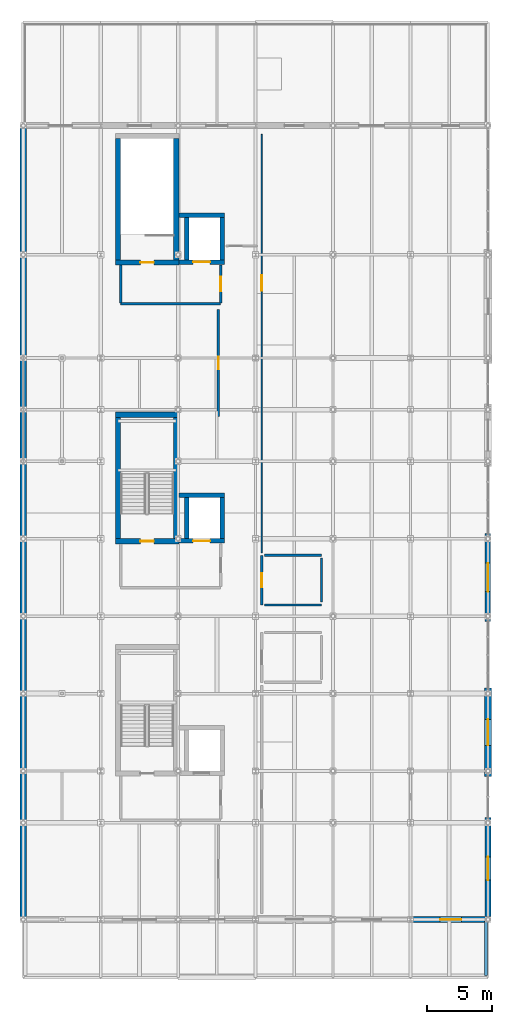
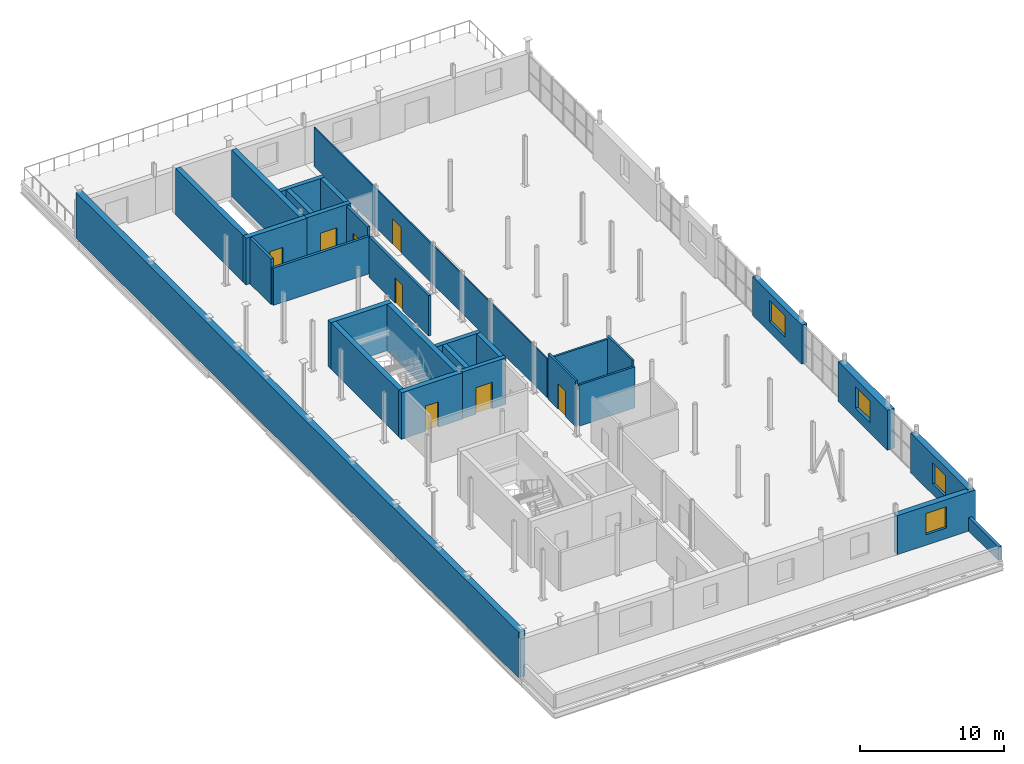
# One storey, part 27 of 30: 30 walls, 8 doors, 4 windows, 12 openings.
"""IFC4 building model written with IfcOpenShell, lengths in metres."""

from ifc_helpers import new_model, si_unit, direction, frame, frame_2d, origin, place, context, subcontext, project, spatial, rectangle, extrude, material, layer, layer_set, type_object, element, fill, save


model = new_model("IFC4")

# Units and contexts
model_context = context("Model", 3, precision=1e-05, world=origin(), true_north=direction((0.0, 1.0)))
body_context = subcontext(model_context, "Body", "Model", "MODEL_VIEW")
ifc_project = project(units=[si_unit("LENGTHUNIT", "METRE"), si_unit("AREAUNIT", "SQUARE_METRE"), si_unit("VOLUMEUNIT", "CUBIC_METRE"), si_unit("PLANEANGLEUNIT", "RADIAN"), si_unit("MASSUNIT", "GRAM", prefix="KILO")], contexts=[model_context])

# Site, building, storey
site_placement = place(None, origin())
site = spatial("IfcSite", under=ifc_project, at=site_placement, CompositionType="ELEMENT")
building_placement = place(site_placement, origin())
building = spatial("IfcBuilding", under=site, at=building_placement, Name="Verrall Gate Interchange", CompositionType="ELEMENT")
storey_placement = place(building_placement, frame((0.0, 0.0, 19.39990234375)))
storey = spatial("IfcBuildingStorey", under=building, at=storey_placement, Name="L05", CompositionType="ELEMENT", Elevation=19.39990234375)

# Wall, opening, window
ifc_material_1 = material(Name="Tyndall Dolomitic Limestone Ashlar Cavity Assembly (U=0.18)", Category="masonry")
ifc_layer_1 = layer(ifc_material_1, 0.419921875)
ifc_layer_set_1 = layer_set([ifc_layer_1], Name="Tyndall Dolomitic Limestone Ashlar Cavity Assembly (U=0.18)")
wall_type_1 = type_object("IfcWallType", Name="EW-01 Exterior Solid Wall 420", PredefinedType="SOLIDWALL", material=ifc_layer_set_1)
wall_1_placement = place(storey_placement, frame((36.0, 27.580078125, 0.0), z_axis=(0.0, 0.0, 1.0), x_axis=(0.0, 1.0, 0.0)))
wall_1 = element("IfcWall", 1, at=wall_1_placement, inside=storey, type_object=wall_type_1, Name="L05 Classical Limestone Facade Wall 131", PredefinedType="SOLIDWALL", context=body_context, shape_type="SweptSolid", body=[
    extrude(rectangle(XDim=6.83984375, YDim=0.419921875, at=frame_2d((3.419921875, 0.0))), origin(), (0.0, 0.0, 1.0), 3.31103515625),
])
opening_1_placement = place(wall_1_placement, frame((2.320068359375, 0.0, 0.89990234375)))
opening_1 = element("IfcOpeningElement", 2, at=opening_1_placement, cuts=wall_1, Name="Opening WN-07", PredefinedType="OPENING", context=body_context, shape_type="SweptSolid", body=[
    extrude(rectangle(XDim=2.199951171875, YDim=1.800048828125, at=frame_2d((1.10009765625, 0.89990234375))), frame((0.0, 0.224853515625, 0.0), z_axis=(0.0, -1.0, 0.0), x_axis=(1.0, 0.0, 0.0)), (0.0, 0.0, 1.0), 0.44970703125),
])
ifc_material_2 = material(Name="Triple-Glazed Low-E Argon Bronze-Clad Window Unit (U=1.40)", Category="glass")
window_type_1 = type_object("IfcWindowType", Name="WN-07 Classical Deep-Reveal Window 2200x1800", PartitioningType="SINGLE_PANEL", PredefinedType="WINDOW", material=ifc_material_2)
window_1_placement = place(opening_1_placement, origin())
window_1 = element("IfcWindow", 3, at=window_1_placement, inside=storey, type_object=window_type_1, Name="L05 Classical Window 069 (WN-07)", OverallHeight=1.800048828125, OverallWidth=2.199951171875, PartitioningType="SINGLE_PANEL", PredefinedType="WINDOW", context=body_context, shape_type="SweptSolid", body=[
    extrude(rectangle(XDim=2.199951171875, YDim=1.800048828125, at=frame_2d((1.10009765625, 0.89990234375))), frame((0.0, 0.030029296875, 0.0), z_axis=(0.0, -1.0, 0.0), x_axis=(1.0, 0.0, 0.0)), (0.0, 0.0, 1.0), 0.06005859375),
])
fill(opening_1, window_1)

ifc_material_3 = material(Name="Tyndall Dolomitic Limestone Ashlar Cavity Assembly (U=0.18)", Category="masonry")
ifc_layer_2 = layer(ifc_material_3, 0.4599609375)
ifc_layer_set_2 = layer_set([ifc_layer_2], Name="Tyndall Dolomitic Limestone Ashlar Cavity Assembly (U=0.18)")
wall_type_2 = type_object("IfcWallType", Name="EW-02 Exterior Solid Wall 460", PredefinedType="SOLIDWALL", material=ifc_layer_set_2)
wall_2_placement = place(storey_placement, frame((29.991943359375, 4.5, 0.0), z_axis=(0.0, 0.0, 1.0), x_axis=(1.0, 0.0, 0.0)))
wall_2 = element("IfcWall", 4, at=wall_2_placement, inside=storey, type_object=wall_type_2, Name="L05 Classical Limestone Facade Wall 128", PredefinedType="SOLIDWALL", context=body_context, shape_type="SweptSolid", body=[
    extrude(rectangle(XDim=6.258056640625, YDim=0.4599609375, at=frame_2d((3.12890625, 0.0))), origin(), (0.0, 0.0, 1.0), 3.31103515625),
])
opening_2_placement = place(wall_2_placement, frame((2.303955078125, 0.0, 0.89990234375)))
opening_2 = element("IfcOpeningElement", 5, at=opening_2_placement, cuts=wall_2, Name="Opening WN-04", PredefinedType="OPENING", context=body_context, shape_type="SweptSolid", body=[
    extrude(rectangle(XDim=1.64990234375, YDim=1.800048828125, at=frame_2d((0.824951171875, 0.89990234375))), frame((0.0, 0.244873046875, 0.0), z_axis=(0.0, -1.0, 0.0), x_axis=(1.0, 0.0, 0.0)), (0.0, 0.0, 1.0), 0.48974609375),
])
ifc_material_4 = material(Name="Triple-Glazed Low-E Argon Bronze-Clad Window Unit (U=1.40)", Category="glass")
window_type_2 = type_object("IfcWindowType", Name="WN-04 Classical Deep-Reveal Window 1650x1800", PartitioningType="SINGLE_PANEL", PredefinedType="WINDOW", material=ifc_material_4)
window_2_placement = place(opening_2_placement, origin())
window_2 = element("IfcWindow", 6, at=window_2_placement, inside=storey, type_object=window_type_2, Name="L05 Classical Window 066 (WN-04)", OverallHeight=1.800048828125, OverallWidth=1.64990234375, PartitioningType="SINGLE_PANEL", PredefinedType="WINDOW", context=body_context, shape_type="SweptSolid", body=[
    extrude(rectangle(XDim=1.64990234375, YDim=1.800048828125, at=frame_2d((0.824951171875, 0.89990234375))), frame((0.0, 0.030029296875, 0.0), z_axis=(0.0, -1.0, 0.0), x_axis=(1.0, 0.0, 0.0)), (0.0, 0.0, 1.0), 0.06005859375),
])
fill(opening_2, window_2)

wall_3_placement = place(storey_placement, frame((36.0, 4.491943359375, 0.0), z_axis=(0.0, 0.0, 1.0), x_axis=(0.0, 1.0, 0.0)))
wall_3 = element("IfcWall", 7, at=wall_3_placement, inside=storey, type_object=wall_type_2, Name="L05 Classical Limestone Facade Wall 129", PredefinedType="SOLIDWALL", context=body_context, shape_type="SweptSolid", body=[
    extrude(rectangle(XDim=7.927978515625, YDim=0.4599609375, at=frame_2d((3.9638671875, 0.0))), origin(), (0.0, 0.0, 1.0), 3.38720703125),
])
opening_3_placement = place(wall_3_placement, frame((3.06396484375, 0.0, 0.89990234375)))
opening_3 = element("IfcOpeningElement", 8, at=opening_3_placement, cuts=wall_3, Name="Opening WN-05", PredefinedType="OPENING", context=body_context, shape_type="SweptSolid", body=[
    extrude(rectangle(XDim=1.800048828125, YDim=1.800048828125, at=frame_2d((0.89990234375, 0.89990234375))), frame((0.0, 0.244873046875, 0.0), z_axis=(0.0, -1.0, 0.0), x_axis=(1.0, 0.0, 0.0)), (0.0, 0.0, 1.0), 0.48974609375),
])
ifc_material_5 = material(Name="Triple-Glazed Low-E Argon Bronze-Clad Window Unit (U=1.40)", Category="glass")
window_type_3 = type_object("IfcWindowType", Name="WN-05 Classical Deep-Reveal Window 1800x1800", PartitioningType="SINGLE_PANEL", PredefinedType="WINDOW", material=ifc_material_5)
window_3_placement = place(opening_3_placement, origin())
window_3 = element("IfcWindow", 9, at=window_3_placement, inside=storey, type_object=window_type_3, Name="L05 Classical Window 067 (WN-05)", OverallHeight=1.800048828125, OverallWidth=1.800048828125, PartitioningType="SINGLE_PANEL", PredefinedType="WINDOW", context=body_context, shape_type="SweptSolid", body=[
    extrude(rectangle(XDim=1.800048828125, YDim=1.800048828125, at=frame_2d((0.89990234375, 0.89990234375))), frame((0.0, 0.030029296875, 0.0), z_axis=(0.0, -1.0, 0.0), x_axis=(1.0, 0.0, 0.0)), (0.0, 0.0, 1.0), 0.06005859375),
])
fill(opening_3, window_3)

ifc_material_6 = material(Name="Tyndall Dolomitic Limestone Ashlar Cavity Assembly (U=0.18)", Category="masonry")
ifc_layer_3 = layer(ifc_material_6, 0.56005859375)
ifc_layer_set_3 = layer_set([ifc_layer_3], Name="Tyndall Dolomitic Limestone Ashlar Cavity Assembly (U=0.18)")
wall_type_3 = type_object("IfcWallType", Name="EW-04 Exterior Solid Wall 560", PredefinedType="SOLIDWALL", material=ifc_layer_set_3)
wall_4_placement = place(storey_placement, frame((36.0, 15.580078125, 0.0), z_axis=(0.0, 0.0, 1.0), x_axis=(0.0, 1.0, 0.0)))
wall_4 = element("IfcWall", 10, at=wall_4_placement, inside=storey, type_object=wall_type_3, Name="L05 Classical Limestone Facade Wall 130", PredefinedType="SOLIDWALL", context=body_context, shape_type="SweptSolid", body=[
    extrude(rectangle(XDim=6.83984375, YDim=0.56005859375, at=frame_2d((3.419921875, 0.0))), origin(), (0.0, 0.0, 1.0), 3.38720703125),
])
opening_4_placement = place(wall_4_placement, frame((2.419921875, 0.0, 0.89990234375)))
opening_4 = element("IfcOpeningElement", 11, at=opening_4_placement, cuts=wall_4, Name="Opening WN-06", PredefinedType="OPENING", context=body_context, shape_type="SweptSolid", body=[
    extrude(rectangle(XDim=2.0, YDim=1.800048828125, at=frame_2d((1.0, 0.89990234375))), frame((0.0, 0.294921875, 0.0), z_axis=(0.0, -1.0, 0.0), x_axis=(1.0, 0.0, 0.0)), (0.0, 0.0, 1.0), 0.58984375),
])
ifc_material_7 = material(Name="Triple-Glazed Low-E Argon Bronze-Clad Window Unit (U=1.40)", Category="glass")
window_type_4 = type_object("IfcWindowType", Name="WN-06 Classical Deep-Reveal Window 2000x1800", PartitioningType="SINGLE_PANEL", PredefinedType="WINDOW", material=ifc_material_7)
window_4_placement = place(opening_4_placement, origin())
window_4 = element("IfcWindow", 12, at=window_4_placement, inside=storey, type_object=window_type_4, Name="L05 Classical Window 068 (WN-06)", OverallHeight=1.800048828125, OverallWidth=2.0, PartitioningType="SINGLE_PANEL", PredefinedType="WINDOW", context=body_context, shape_type="SweptSolid", body=[
    extrude(rectangle(XDim=2.0, YDim=1.800048828125, at=frame_2d((1.0, 0.89990234375))), frame((0.0, 0.030029296875, 0.0), z_axis=(0.0, -1.0, 0.0), x_axis=(1.0, 0.0, 0.0)), (0.0, 0.0, 1.0), 0.06005859375),
])
fill(opening_4, window_4)

# Walls
ifc_material_8 = material(Name="Concrete CSA A23.1 35 MPa Zero-Lot 2h Party Wall (U=0.18)", Category="concrete")
ifc_layer_4 = layer(ifc_material_8, 0.5)
ifc_layer_set_4 = layer_set([ifc_layer_4], Name="Concrete CSA A23.1 35 MPa Zero-Lot 2h Party Wall (U=0.18)")
wall_type_4 = type_object("IfcWallType", Name="EW-PTY Exterior Solid Wall 500", PredefinedType="SOLIDWALL", material=ifc_layer_set_4)
wall_5_placement = place(storey_placement, frame((0.0, 4.491943359375, 0.0), z_axis=(0.0, 0.0, 1.0), x_axis=(0.0, 1.0, 0.0)))
element("IfcWall", 13, at=wall_5_placement, inside=storey, type_object=wall_type_4, Name="L05 West Zero-Lot 2h Party Wall 005", PredefinedType="SOLIDWALL", context=body_context, shape_type="SweptSolid", body=[
    extrude(rectangle(XDim=61.51611328125, YDim=0.5, at=frame_2d((30.758056640625, 0.0))), origin(), (0.0, 0.0, 1.0), 3.880126953125),
])
ifc_material_9 = material(Name="Fire-Rated Type X Gypsum Stud Partition Assembly (60 min)", Category="gypsum")
ifc_layer_5 = layer(ifc_material_9, 0.199951171875)
ifc_layer_set_5 = layer_set([ifc_layer_5], Name="Fire-Rated Type X Gypsum Stud Partition Assembly (60 min)")
wall_type_5 = type_object("IfcWallType", Name="IW-01 Interior Partition Wall 200", PredefinedType="PARTITIONING", material=ifc_layer_set_5)
wall_6_placement = place(storey_placement, frame((7.550048828125, 52.199951171875, 0.0), z_axis=(0.0, 0.0, 1.0), x_axis=(1.0, 0.0, 0.0)))
element("IfcWall", 14, at=wall_6_placement, inside=storey, type_object=wall_type_5, Name="L05 Core C3 Lobby South Rated Wall", PredefinedType="PARTITIONING", context=body_context, shape_type="SweptSolid", body=[
    extrude(rectangle(XDim=7.75, YDim=0.199951171875, at=frame_2d((3.875, 0.0))), origin(), (0.0, 0.0, 1.0), 3.156982421875),
])
wall_7_placement = place(storey_placement, frame((7.550048828125, 55.199951171875, 0.0), z_axis=(0.0, 0.0, 1.0), x_axis=(0.0, -1.0, 0.0)))
element("IfcWall", 15, at=wall_7_placement, inside=storey, type_object=wall_type_5, Name="L05 Core C3 Lobby West Rated Wall", PredefinedType="PARTITIONING", context=body_context, shape_type="SweptSolid", body=[
    extrude(rectangle(XDim=2.919921875, YDim=0.199951171875, at=frame_2d((1.4599609375, 0.0))), origin(), (0.0, 0.0, 1.0), 3.880126953125),
])

# Wall, opening, door
wall_8_placement = place(storey_placement, frame((15.300048828125, 52.280029296875, 0.0), z_axis=(0.0, 0.0, 1.0), x_axis=(0.0, 1.0, 0.0)))
wall_8 = element("IfcWall", 16, at=wall_8_placement, inside=storey, type_object=wall_type_5, Name="L05 Core C3 Lobby East Rated Wall", PredefinedType="PARTITIONING", context=body_context, shape_type="SweptSolid", body=[
    extrude(rectangle(XDim=2.919921875, YDim=0.199951171875, at=frame_2d((1.4599609375, 0.0))), origin(), (0.0, 0.0, 1.0), 3.880126953125),
])
opening_5_placement = place(wall_8_placement, frame((0.909912109375, 0.0, 0.0)))
opening_5 = element("IfcOpeningElement", 17, at=opening_5_placement, cuts=wall_8, Name="Opening LBD050", PredefinedType="OPENING", context=body_context, shape_type="SweptSolid", body=[
    extrude(rectangle(XDim=1.10009765625, YDim=2.14990234375, at=frame_2d((0.550048828125, 1.074951171875))), frame((0.0, 0.11474609375, 0.0), z_axis=(0.0, -1.0, 0.0), x_axis=(1.0, 0.0, 0.0)), (0.0, 0.0, 1.0), 0.229736328125),
])
ifc_material_10 = material(Name="Hollow-Metal Fire-Rated Door Assembly", Category="metal")
door_type_1 = type_object("IfcDoorType", Name="ID-06 Interior Swing Door 1100x2150", OperationType="NOTDEFINED", PredefinedType="DOOR", material=ifc_material_10)
door_1_placement = place(opening_5_placement, origin())
door_1 = element("IfcDoor", 18, at=door_1_placement, inside=storey, type_object=door_type_1, Name="L05 Core C3 Lobby Fire Door LBD050", OperationType="SINGLE_SWING_RIGHT", OverallHeight=2.14990234375, OverallWidth=1.10009765625, PredefinedType="DOOR", context=body_context, shape_type="SweptSolid", body=[
    extrude(rectangle(XDim=1.10009765625, YDim=2.14990234375, at=frame_2d((0.550048828125, 1.074951171875))), frame((0.0, 0.02490234375, 0.0), z_axis=(0.0, -1.0, 0.0), x_axis=(1.0, 0.0, 0.0)), (0.0, 0.0, 1.0), 0.050048828125),
])
fill(opening_5, door_1)

wall_9_placement = place(storey_placement, frame((15.1201171875, 51.752685546875, 0.0), z_axis=(0.0, 0.0, 1.0), x_axis=(0.0, -1.0, 0.0)))
wall_9 = element("IfcWall", 19, at=wall_9_placement, inside=storey, type_object=wall_type_5, Name="L05 Redundant UPS and Battery Plant Partition 087", PredefinedType="PARTITIONING", context=body_context, shape_type="SweptSolid", body=[
    extrude(rectangle(XDim=8.272705078125, YDim=0.199951171875, at=frame_2d((4.13623046875, 0.0))), origin(), (0.0, 0.0, 1.0), 3.440185546875),
])
opening_6_placement = place(wall_9_placement, frame((3.63623046875, 0.0, 0.0)))
opening_6 = element("IfcOpeningElement", 20, at=opening_6_placement, cuts=wall_9, Name="Opening D059", PredefinedType="OPENING", context=body_context, shape_type="SweptSolid", body=[
    extrude(rectangle(XDim=1.0, YDim=2.14990234375, at=frame_2d((0.5, 1.074951171875))), frame((0.0, 0.11474609375, 0.0), z_axis=(0.0, -1.0, 0.0), x_axis=(1.0, 0.0, 0.0)), (0.0, 0.0, 1.0), 0.229736328125),
])
ifc_material_11 = material(Name="Hollow-Metal Fire-Rated Door Assembly", Category="metal")
door_type_2 = type_object("IfcDoorType", Name="ID-05 Interior Swing Door 1000x2150", OperationType="NOTDEFINED", PredefinedType="DOOR", material=ifc_material_11)
door_2_placement = place(opening_6_placement, origin())
door_2 = element("IfcDoor", 21, at=door_2_placement, inside=storey, type_object=door_type_2, Name="L05 Redundant UPS and Battery Plant Door D059", OperationType="SINGLE_SWING_RIGHT", OverallHeight=2.14990234375, OverallWidth=1.0, PredefinedType="DOOR", context=body_context, shape_type="SweptSolid", body=[
    extrude(rectangle(XDim=1.0, YDim=2.14990234375, at=frame_2d((0.5, 1.074951171875))), frame((0.0, 0.02490234375, 0.0), z_axis=(0.0, -1.0, 0.0), x_axis=(1.0, 0.0, 0.0)), (0.0, 0.0, 1.0), 0.050048828125),
])
fill(opening_6, door_2)

ifc_material_12 = material(Name="Fire-Rated Type X Gypsum Stud Partition Assembly (60 min)", Category="gypsum")
ifc_layer_6 = layer(ifc_material_12, 0.159912109375)
ifc_layer_set_6 = layer_set([ifc_layer_6], Name="Fire-Rated Type X Gypsum Stud Partition Assembly (60 min)")
wall_type_6 = type_object("IfcWallType", Name="IW-02 Interior Partition Wall 160", PredefinedType="PARTITIONING", material=ifc_layer_set_6)
wall_10_placement = place(storey_placement, frame((18.47998046875, 28.8798828125, 0.0), z_axis=(0.0, 0.0, 1.0), x_axis=(0.0, 1.0, 0.0)))
wall_10 = element("IfcWall", 22, at=wall_10_placement, inside=storey, type_object=wall_type_6, Name="L05 L05 Accessible Washroom Partition 081", PredefinedType="PARTITIONING", context=body_context, shape_type="SweptSolid", body=[
    extrude(rectangle(XDim=3.840087890625, YDim=0.159912109375, at=frame_2d((1.919921875, 0.0))), origin(), (0.0, 0.0, 1.0), 3.880126953125),
])
opening_7_placement = place(wall_10_placement, frame((1.3798828125, 0.0, 0.0)))
opening_7 = element("IfcOpeningElement", 23, at=opening_7_placement, cuts=wall_10, Name="Opening D056", PredefinedType="OPENING", context=body_context, shape_type="SweptSolid", body=[
    extrude(rectangle(XDim=1.080078125, YDim=2.14990234375, at=frame_2d((0.5400390625, 1.074951171875))), frame((0.0, 0.0947265625, 0.0), z_axis=(0.0, -1.0, 0.0), x_axis=(1.0, 0.0, 0.0)), (0.0, 0.0, 1.0), 0.189697265625),
])
ifc_material_13 = material(Name="Architectural Solid-Core Birch Acoustic Door Assembly", Category="wood")
door_type_3 = type_object("IfcDoorType", Name="ID-13 Interior Swing Door 1080x2150", OperationType="NOTDEFINED", PredefinedType="DOOR", material=ifc_material_13)
door_3_placement = place(opening_7_placement, origin())
door_3 = element("IfcDoor", 24, at=door_3_placement, inside=storey, type_object=door_type_3, Name="L05 L05 Accessible Washroom Door D056", OperationType="SINGLE_SWING_LEFT", OverallHeight=2.14990234375, OverallWidth=1.080078125, PredefinedType="DOOR", context=body_context, shape_type="SweptSolid", body=[
    extrude(rectangle(XDim=1.080078125, YDim=2.14990234375, at=frame_2d((0.5400390625, 1.074951171875))), frame((0.0, 0.02490234375, 0.0), z_axis=(0.0, -1.0, 0.0), x_axis=(1.0, 0.0, 0.0)), (0.0, 0.0, 1.0), 0.050048828125),
])
fill(opening_7, door_3)

# Walls
for number, where, z_axis, x_axis, name in (
    (25, (18.679931640625, 32.719970703125, 0.0), (0.0, 0.0, 1.0), (1.0, 0.0, 0.0), "L05 L05 Accessible Washroom Partition 082"),
    (26, (23.1201171875, 28.8798828125, 0.0), (0.0, 0.0, 1.0), (-1.0, 0.0, 0.0), "L05 L05 Accessible Washroom Partition 083"),
):
    element("IfcWall", number, at=place(storey_placement, frame(where, z_axis=z_axis, x_axis=x_axis)), inside=storey, type_object=wall_type_6, Name=name, PredefinedType="PARTITIONING", context=body_context, shape_type="SweptSolid", body=[
        extrude(rectangle(XDim=4.440185546875, YDim=0.159912109375, at=frame_2d((2.22021484375, 0.0))), origin(), (0.0, 0.0, 1.0), 3.4921875),
    ])
wall_11_placement = place(storey_placement, frame((23.1201171875, 32.52001953125, 0.0), z_axis=(0.0, 0.0, 1.0), x_axis=(0.0, -1.0, 0.0)))
element("IfcWall", 27, at=wall_11_placement, inside=storey, type_object=wall_type_6, Name="L05 L05 Accessible Washroom Partition 084", PredefinedType="PARTITIONING", context=body_context, shape_type="SweptSolid", body=[
    extrude(rectangle(XDim=3.43994140625, YDim=0.159912109375, at=frame_2d((1.719970703125, 0.0))), origin(), (0.0, 0.0, 1.0), 3.880126953125),
])

# Wall, opening, door
ifc_material_14 = material(Name="Acoustic Steel-Stud Partition Assembly", Category="steel")
ifc_layer_7 = layer(ifc_material_14, 0.10009765625)
ifc_layer_set_7 = layer_set([ifc_layer_7], Name="Acoustic Steel-Stud Partition Assembly")
wall_type_7 = type_object("IfcWallType", Name="IW-05 Interior Partition Wall 100", PredefinedType="PARTITIONING", material=ifc_layer_set_7)
wall_12_placement = place(storey_placement, frame((18.47998046875, 32.909912109375, 0.0), z_axis=(0.0, 0.0, 1.0), x_axis=(0.0, 1.0, 0.0)))
wall_12 = element("IfcWall", 28, at=wall_12_placement, inside=storey, type_object=wall_type_7, Name="L05 Transit Cybersecurity Operations Suite Partition 086", PredefinedType="PARTITIONING", context=body_context, shape_type="SweptSolid", body=[
    extrude(rectangle(XDim=32.41015625, YDim=0.10009765625, at=frame_2d((16.205078125, 0.0))), origin(), (0.0, 0.0, 1.0), 3.31103515625),
])
opening_8_placement = place(wall_12_placement, frame((20.28662109375, 0.0, 0.0)))
opening_8 = element("IfcOpeningElement", 29, at=opening_8_placement, cuts=wall_12, Name="Opening D058", PredefinedType="OPENING", context=body_context, shape_type="SweptSolid", body=[
    extrude(rectangle(XDim=1.199951171875, YDim=2.14990234375, at=frame_2d((0.60009765625, 1.074951171875))), frame((0.0, 0.06494140625, 0.0), z_axis=(0.0, -1.0, 0.0), x_axis=(1.0, 0.0, 0.0)), (0.0, 0.0, 1.0), 0.1298828125),
])
ifc_material_15 = material(Name="Architectural Solid-Core Birch Acoustic Door Assembly", Category="wood")
door_type_4 = type_object("IfcDoorType", Name="ID-15 Interior Swing Door 1200x2150", OperationType="NOTDEFINED", PredefinedType="DOOR", material=ifc_material_15)
door_4_placement = place(opening_8_placement, origin())
door_4 = element("IfcDoor", 30, at=door_4_placement, inside=storey, type_object=door_type_4, Name="L05 Transit Cybersecurity Operations Suite Door D058", OperationType="SINGLE_SWING_LEFT", OverallHeight=2.14990234375, OverallWidth=1.199951171875, PredefinedType="DOOR", context=body_context, shape_type="SweptSolid", body=[
    extrude(rectangle(XDim=1.199951171875, YDim=2.14990234375, at=frame_2d((0.60009765625, 1.074951171875))), frame((0.0, 0.02490234375, 0.0), z_axis=(0.0, -1.0, 0.0), x_axis=(1.0, 0.0, 0.0)), (0.0, 0.0, 1.0), 0.050048828125),
])
fill(opening_8, door_4)

# Wall
ifc_material_16 = material(Name="Tyndall Dolomitic Limestone Ashlar Cavity Assembly (U=0.18)", Category="masonry")
ifc_layer_8 = layer(ifc_material_16, 0.260009765625)
ifc_layer_set_8 = layer_set([ifc_layer_8], Name="Tyndall Dolomitic Limestone Ashlar Cavity Assembly (U=0.18)")
wall_type_8 = type_object("IfcWallType", Name="PW-01 Parapet Wall 260", PredefinedType="PARAPET", material=ifc_layer_set_8)
wall_13_placement = place(storey_placement, frame((35.85009765625, 0.14990234375, 0.0), z_axis=(0.0, 0.0, 1.0), x_axis=(0.0, 1.0, 0.0)))
element("IfcWall", 31, at=wall_13_placement, inside=storey, type_object=wall_type_8, Name="L05 Classical Stone Roof Parapet 003", PredefinedType="PARAPET", context=body_context, shape_type="SweptSolid", body=[
    extrude(rectangle(XDim=4.25, YDim=0.260009765625, at=frame_2d((2.125, 0.0))), origin(), (0.0, 0.0, 1.0), 1.150146484375),
])

# Wall, opening, door
ifc_material_17 = material(Name="Concrete CSA A23.1 40 MPa (Class N)", Category="concrete")
ifc_layer_9 = layer(ifc_material_17, 0.39990234375)
ifc_layer_set_9 = layer_set([ifc_layer_9], Name="Concrete CSA A23.1 40 MPa (Class N)")
wall_type_9 = type_object("IfcWallType", Name="SW-01 Core Shear Wall 400", PredefinedType="SHEAR", material=ifc_layer_set_9)
wall_14_placement = place(storey_placement, frame((7.14990234375, 33.800048828125, 0.0), z_axis=(0.0, 0.0, 1.0), x_axis=(1.0, 0.0, 0.0)))
wall_14 = element("IfcWall", 32, at=wall_14_placement, inside=storey, type_object=wall_type_9, Name="L05 Core C2 South Shear Wall", PredefinedType="SHEAR", context=body_context, shape_type="SweptSolid", body=[
    extrude(rectangle(XDim=4.900146484375, YDim=0.39990234375, at=frame_2d((2.4501953125, 0.0))), origin(), (0.0, 0.0, 1.0), 3.9501953125),
])
opening_9_placement = place(wall_14_placement, frame((1.925048828125, 0.0, 0.0)))
opening_9 = element("IfcOpeningElement", 33, at=opening_9_placement, cuts=wall_14, Name="Opening SD025", PredefinedType="OPENING", context=body_context, shape_type="SweptSolid", body=[
    extrude(rectangle(XDim=1.050048828125, YDim=2.14990234375, at=frame_2d((0.52490234375, 1.074951171875))), frame((0.0, 0.21484375, 0.0), z_axis=(0.0, -1.0, 0.0), x_axis=(1.0, 0.0, 0.0)), (0.0, 0.0, 1.0), 0.4296875),
])
ifc_material_18 = material(Name="Hollow-Metal Fire-Rated Door Assembly", Category="metal")
door_type_5 = type_object("IfcDoorType", Name="ID-01 Interior Swing Door 1050x2150", OperationType="NOTDEFINED", PredefinedType="DOOR", material=ifc_material_18)
door_5_placement = place(opening_9_placement, origin())
door_5 = element("IfcDoor", 34, at=door_5_placement, inside=storey, type_object=door_type_5, Name="L05 Stair ST-02 Fire Door SD025", OperationType="SINGLE_SWING_LEFT", OverallHeight=2.14990234375, OverallWidth=1.050048828125, PredefinedType="DOOR", context=body_context, shape_type="SweptSolid", body=[
    extrude(rectangle(XDim=1.050048828125, YDim=2.14990234375, at=frame_2d((0.52490234375, 1.074951171875))), frame((0.0, 0.02490234375, 0.0), z_axis=(0.0, -1.0, 0.0), x_axis=(1.0, 0.0, 0.0)), (0.0, 0.0, 1.0), 0.050048828125),
])
fill(opening_9, door_5)

# Walls
wall_15_placement = place(storey_placement, frame((12.050048828125, 43.60009765625, 0.0), z_axis=(0.0, 0.0, 1.0), x_axis=(-1.0, 0.0, 0.0)))
element("IfcWall", 35, at=wall_15_placement, inside=storey, type_object=wall_type_9, Name="L05 Core C2 North Shear Wall", PredefinedType="SHEAR", context=body_context, shape_type="SweptSolid", body=[
    extrude(rectangle(XDim=4.900146484375, YDim=0.39990234375, at=frame_2d((2.4501953125, 0.0))), origin(), (0.0, 0.0, 1.0), 3.9501953125),
])
for number, where, z_axis, x_axis, name in (
    (36, (7.35009765625, 43.39990234375, 0.0), (0.0, 0.0, 1.0), (0.0, -1.0, 0.0), "L05 Core C2 West Shear Wall"),
    (37, (11.85009765625, 34.0, 0.0), (0.0, 0.0, 1.0), (0.0, 1.0, 0.0), "L05 Core C2 East Shear Wall"),
):
    element("IfcWall", number, at=place(storey_placement, frame(where, z_axis=z_axis, x_axis=x_axis)), inside=storey, type_object=wall_type_9, Name=name, PredefinedType="SHEAR", context=body_context, shape_type="SweptSolid", body=[
        extrude(rectangle(XDim=9.39990234375, YDim=0.39990234375, at=frame_2d((4.699951171875, 0.0))), origin(), (0.0, 0.0, 1.0), 3.9501953125),
    ])

# Wall, opening, door
wall_16_placement = place(storey_placement, frame((7.14990234375, 55.39990234375, 0.0), z_axis=(0.0, 0.0, 1.0), x_axis=(1.0, 0.0, 0.0)))
wall_16 = element("IfcWall", 38, at=wall_16_placement, inside=storey, type_object=wall_type_9, Name="L05 Core C3 South Shear Wall", PredefinedType="SHEAR", context=body_context, shape_type="SweptSolid", body=[
    extrude(rectangle(XDim=4.900146484375, YDim=0.39990234375, at=frame_2d((2.4501953125, 0.0))), origin(), (0.0, 0.0, 1.0), 3.9501953125),
])
opening_10_placement = place(wall_16_placement, frame((1.925048828125, 0.0, 0.0)))
opening_10 = element("IfcOpeningElement", 39, at=opening_10_placement, cuts=wall_16, Name="Opening SD043", PredefinedType="OPENING", context=body_context, shape_type="SweptSolid", body=[
    extrude(rectangle(XDim=1.050048828125, YDim=2.14990234375, at=frame_2d((0.52490234375, 1.074951171875))), frame((0.0, 0.21484375, 0.0), z_axis=(0.0, -1.0, 0.0), x_axis=(1.0, 0.0, 0.0)), (0.0, 0.0, 1.0), 0.4296875),
])
door_6_placement = place(opening_10_placement, origin())
door_6 = element("IfcDoor", 40, at=door_6_placement, inside=storey, type_object=door_type_5, Name="L05 Stair ST-03 Fire Door SD043", OperationType="SINGLE_SWING_LEFT", OverallHeight=2.14990234375, OverallWidth=1.050048828125, PredefinedType="DOOR", context=body_context, shape_type="SweptSolid", body=[
    extrude(rectangle(XDim=1.050048828125, YDim=2.14990234375, at=frame_2d((0.52490234375, 1.074951171875))), frame((0.0, 0.02490234375, 0.0), z_axis=(0.0, -1.0, 0.0), x_axis=(1.0, 0.0, 0.0)), (0.0, 0.0, 1.0), 0.050048828125),
])
fill(opening_10, door_6)

# Walls
for number, where, z_axis, x_axis, name in (
    (41, (7.35009765625, 65.0, 0.0), (0.0, 0.0, 1.0), (0.0, -1.0, 0.0), "L05 Core C3 West Shear Wall"),
    (42, (11.85009765625, 55.60009765625, 0.0), (0.0, 0.0, 1.0), (0.0, 1.0, 0.0), "L05 Core C3 East Shear Wall"),
):
    element("IfcWall", number, at=place(storey_placement, frame(where, z_axis=z_axis, x_axis=x_axis)), inside=storey, type_object=wall_type_9, Name=name, PredefinedType="SHEAR", context=body_context, shape_type="SweptSolid", body=[
        extrude(rectangle(XDim=9.39990234375, YDim=0.39990234375, at=frame_2d((4.699951171875, 0.0))), origin(), (0.0, 0.0, 1.0), 3.9501953125),
    ])

# Wall, opening, door
ifc_material_19 = material(Name="Concrete CSA A23.1 40 MPa (Class N)", Category="concrete")
ifc_layer_10 = layer(ifc_material_19, 0.340087890625)
ifc_layer_set_10 = layer_set([ifc_layer_10], Name="Concrete CSA A23.1 40 MPa (Class N)")
wall_type_10 = type_object("IfcWallType", Name="SW-02 Core Shear Wall 340", PredefinedType="SHEAR", material=ifc_layer_set_10)
wall_17_placement = place(storey_placement, frame((12.050048828125, 33.830078125, 0.0), z_axis=(0.0, 0.0, 1.0), x_axis=(1.0, 0.0, 0.0)))
wall_17 = element("IfcWall", 43, at=wall_17_placement, inside=storey, type_object=wall_type_10, Name="L05 Elevator EL-02 South Shaft Wall", PredefinedType="SHEAR", context=body_context, shape_type="SweptSolid", body=[
    extrude(rectangle(XDim=3.5400390625, YDim=0.340087890625, at=frame_2d((1.77001953125, 0.0))), origin(), (0.0, 0.0, 1.0), 3.9501953125),
])
opening_11_placement = place(wall_17_placement, frame((1.1201171875, 0.0, 0.0)))
opening_11 = element("IfcOpeningElement", 44, at=opening_11_placement, cuts=wall_17, Name="Opening LD-02-L05", PredefinedType="OPENING", context=body_context, shape_type="SweptSolid", body=[
    extrude(rectangle(XDim=1.300048828125, YDim=2.25, at=frame_2d((0.64990234375, 1.125))), frame((0.0, 0.18505859375, 0.0), z_axis=(0.0, -1.0, 0.0), x_axis=(1.0, 0.0, 0.0)), (0.0, 0.0, 1.0), 0.369873046875),
])
ifc_material_20 = material(Name="Stainless-Steel Elevator Landing Sliding Door Assembly", Category="steel")
door_type_6 = type_object("IfcDoorType", Name="LD-03 Elevator Sliding Landing Door 1300x2250", OperationType="NOTDEFINED", PredefinedType="DOOR", material=ifc_material_20)
door_7_placement = place(opening_11_placement, origin())
door_7 = element("IfcDoor", 45, at=door_7_placement, inside=storey, type_object=door_type_6, Name="L05 Elevator EL-02 Sliding Landing Door", OperationType="DOUBLE_DOOR_SLIDING", OverallHeight=2.25, OverallWidth=1.300048828125, PredefinedType="DOOR", context=body_context, shape_type="SweptSolid", body=[
    extrude(rectangle(XDim=1.300048828125, YDim=2.25, at=frame_2d((0.64990234375, 1.125))), frame((0.0, 0.02490234375, 0.0), z_axis=(0.0, -1.0, 0.0), x_axis=(1.0, 0.0, 0.0)), (0.0, 0.0, 1.0), 0.050048828125),
])
fill(opening_11, door_7)

# Walls
wall_18_placement = place(storey_placement, frame((15.590087890625, 37.3701171875, 0.0), z_axis=(0.0, 0.0, 1.0), x_axis=(-1.0, 0.0, 0.0)))
element("IfcWall", 46, at=wall_18_placement, inside=storey, type_object=wall_type_10, Name="L05 Elevator EL-02 North Shaft Wall", PredefinedType="SHEAR", context=body_context, shape_type="SweptSolid", body=[
    extrude(rectangle(XDim=3.5400390625, YDim=0.340087890625, at=frame_2d((1.77001953125, 0.0))), origin(), (0.0, 0.0, 1.0), 3.9501953125),
])
for number, where, z_axis, x_axis, name in (
    (47, (12.679931640625, 37.199951171875, 0.0), (0.0, 0.0, 1.0), (0.0, -1.0, 0.0), "L05 Elevator EL-02 West Shaft Wall"),
    (48, (15.419921875, 34.0, 0.0), (0.0, 0.0, 1.0), (0.0, 1.0, 0.0), "L05 Elevator EL-02 East Shaft Wall"),
):
    element("IfcWall", number, at=place(storey_placement, frame(where, z_axis=z_axis, x_axis=x_axis)), inside=storey, type_object=wall_type_10, Name=name, PredefinedType="SHEAR", context=body_context, shape_type="SweptSolid", body=[
        extrude(rectangle(XDim=3.199951171875, YDim=0.340087890625, at=frame_2d((1.60009765625, 0.0))), origin(), (0.0, 0.0, 1.0), 3.9501953125),
    ])

# Wall, opening, door
wall_19_placement = place(storey_placement, frame((12.050048828125, 55.429931640625, 0.0), z_axis=(0.0, 0.0, 1.0), x_axis=(1.0, 0.0, 0.0)))
wall_19 = element("IfcWall", 49, at=wall_19_placement, inside=storey, type_object=wall_type_10, Name="L05 Elevator EL-08 South Shaft Wall", PredefinedType="SHEAR", context=body_context, shape_type="SweptSolid", body=[
    extrude(rectangle(XDim=3.5400390625, YDim=0.340087890625, at=frame_2d((1.77001953125, 0.0))), origin(), (0.0, 0.0, 1.0), 3.9501953125),
])
opening_12_placement = place(wall_19_placement, frame((1.1201171875, 0.0, 0.0)))
opening_12 = element("IfcOpeningElement", 50, at=opening_12_placement, cuts=wall_19, Name="Opening LD-08-L05", PredefinedType="OPENING", context=body_context, shape_type="SweptSolid", body=[
    extrude(rectangle(XDim=1.300048828125, YDim=2.25, at=frame_2d((0.64990234375, 1.125))), frame((0.0, 0.18505859375, 0.0), z_axis=(0.0, -1.0, 0.0), x_axis=(1.0, 0.0, 0.0)), (0.0, 0.0, 1.0), 0.369873046875),
])
door_8_placement = place(opening_12_placement, origin())
door_8 = element("IfcDoor", 51, at=door_8_placement, inside=storey, type_object=door_type_6, Name="L05 Elevator EL-08 Sliding Landing Door", OperationType="DOUBLE_DOOR_SLIDING", OverallHeight=2.25, OverallWidth=1.300048828125, PredefinedType="DOOR", context=body_context, shape_type="SweptSolid", body=[
    extrude(rectangle(XDim=1.300048828125, YDim=2.25, at=frame_2d((0.64990234375, 1.125))), frame((0.0, 0.02490234375, 0.0), z_axis=(0.0, -1.0, 0.0), x_axis=(1.0, 0.0, 0.0)), (0.0, 0.0, 1.0), 0.050048828125),
])
fill(opening_12, door_8)

# Walls
wall_20_placement = place(storey_placement, frame((15.590087890625, 59.070068359375, 0.0), z_axis=(0.0, 0.0, 1.0), x_axis=(-1.0, 0.0, 0.0)))
element("IfcWall", 52, at=wall_20_placement, inside=storey, type_object=wall_type_10, Name="L05 Elevator EL-08 North Shaft Wall", PredefinedType="SHEAR", context=body_context, shape_type="SweptSolid", body=[
    extrude(rectangle(XDim=3.5400390625, YDim=0.340087890625, at=frame_2d((1.77001953125, 0.0))), origin(), (0.0, 0.0, 1.0), 3.9501953125),
])
for number, where, z_axis, x_axis, name in (
    (53, (12.679931640625, 58.89990234375, 0.0), (0.0, 0.0, 1.0), (0.0, -1.0, 0.0), "L05 Elevator EL-08 West Shaft Wall"),
    (54, (15.419921875, 55.60009765625, 0.0), (0.0, 0.0, 1.0), (0.0, 1.0, 0.0), "L05 Elevator EL-08 East Shaft Wall"),
):
    element("IfcWall", number, at=place(storey_placement, frame(where, z_axis=z_axis, x_axis=x_axis)), inside=storey, type_object=wall_type_10, Name=name, PredefinedType="SHEAR", context=body_context, shape_type="SweptSolid", body=[
        extrude(rectangle(XDim=3.2998046875, YDim=0.340087890625, at=frame_2d((1.64990234375, 0.0))), origin(), (0.0, 0.0, 1.0), 3.9501953125),
    ])

save(model, "model.ifc")
